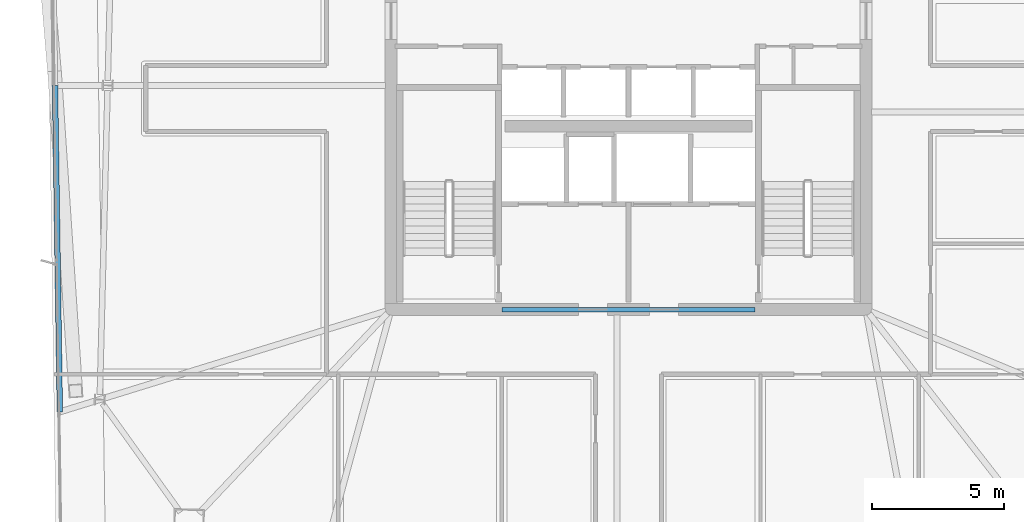
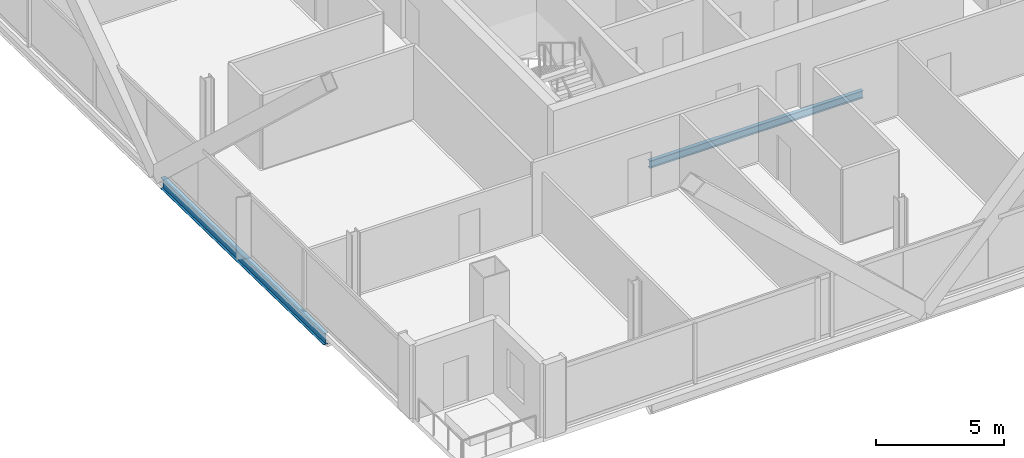
# One storey, part 6 of 25: 2 beams.
"""IFC4 building model written with IfcOpenShell, lengths in metres."""

from ifc_helpers import new_model, si_unit, direction, frame, origin, origin_2d, place, context, subcontext, project, spatial, i_section, extrude, material, material_profile, profile_set, type_object, element, save


model = new_model("IFC4")

# Units and contexts
model_context = context("Model", 3, precision=1e-05, world=origin(), true_north=direction((0.0, 1.0)))
body_context = subcontext(model_context, "Body", "Model", "MODEL_VIEW")
ifc_project = project(units=[si_unit("LENGTHUNIT", "METRE"), si_unit("AREAUNIT", "SQUARE_METRE"), si_unit("VOLUMEUNIT", "CUBIC_METRE"), si_unit("PLANEANGLEUNIT", "RADIAN"), si_unit("MASSUNIT", "GRAM", prefix="KILO")], contexts=[model_context])

# Site, building, storey
site_placement = place(None, origin())
site = spatial("IfcSite", under=ifc_project, at=site_placement, CompositionType="ELEMENT")
building_placement = place(site_placement, origin())
building = spatial("IfcBuilding", under=site, at=building_placement, Name="Haldenkirk Collegiate Tower", CompositionType="ELEMENT")
storey_placement = place(building_placement, frame((0.0, 0.0, 332.699951171875)))
storey = spatial("IfcBuildingStorey", under=building, at=storey_placement, Name="L84", CompositionType="ELEMENT", Elevation=332.699951171875)

# Beams
ifc_material = material(Name="Steel ASTM A992 Grade 50", Category="steel")
ifc_material_profile_1 = material_profile(ifc_material, i_section(OverallWidth=0.1708984375, OverallDepth=0.35595703125, WebThickness=0.007080078125, FlangeThickness=0.01171875, at=origin_2d()), Name="W14X34")
ifc_profile_set_1 = profile_set([ifc_material_profile_1], Name="Steel ASTM A992 Grade 50")
beam_type_1 = type_object("IfcBeamType", Name="BM-LINTEL-W14X34", PredefinedType="LINTEL", material=ifc_profile_set_1)
beam_1_placement = place(storey_placement, frame((31.199951171875, 18.0, -0.43798828125), z_axis=(1.0, 0.0, 0.0), x_axis=(0.0, 1.0, 0.0)))
element("IfcBeam", 1, at=beam_1_placement, inside=storey, type_object=beam_type_1, Name="L84 south core coupling lintel", PredefinedType="LINTEL", context=body_context, shape_type="SweptSolid", body=[
    extrude(i_section(OverallWidth=0.1708984375, OverallDepth=0.35595703125, WebThickness=0.007080078125, FlangeThickness=0.01171875, at=origin_2d()), origin(), (0.0, 0.0, 1.0), 9.60009765625),
])
ifc_material_profile_2 = material_profile(ifc_material, i_section(OverallWidth=0.2099609375, OverallDepth=0.537109375, WebThickness=0.010986328125, FlangeThickness=0.017333984375, at=origin_2d()), Name="W21X68")
ifc_profile_set_2 = profile_set([ifc_material_profile_2], Name="Steel ASTM A992 Grade 50")
beam_type_2 = type_object("IfcBeamType", Name="BM-SPANDREL-W21X68", PredefinedType="SPANDREL", material=ifc_profile_set_2)
beam_2_placement = place(storey_placement, frame((14.26025390625, 26.499755859375, -0.528564453125), z_axis=(0.014829546135, -0.999890036235, 0.0), x_axis=(0.999890036235, 0.014829546135, 0.0)))
element("IfcBeam", 2, at=beam_2_placement, inside=storey, type_object=beam_type_2, Name="L84 outer facade edge beam 3B", PredefinedType="SPANDREL", context=body_context, shape_type="SweptSolid", body=[
    extrude(i_section(OverallWidth=0.2099609375, OverallDepth=0.537109375, WebThickness=0.010986328125, FlangeThickness=0.017333984375, at=origin_2d()), origin(), (0.0, 0.0, 1.0), 12.38037109375),
])

save(model, "model.ifc")
